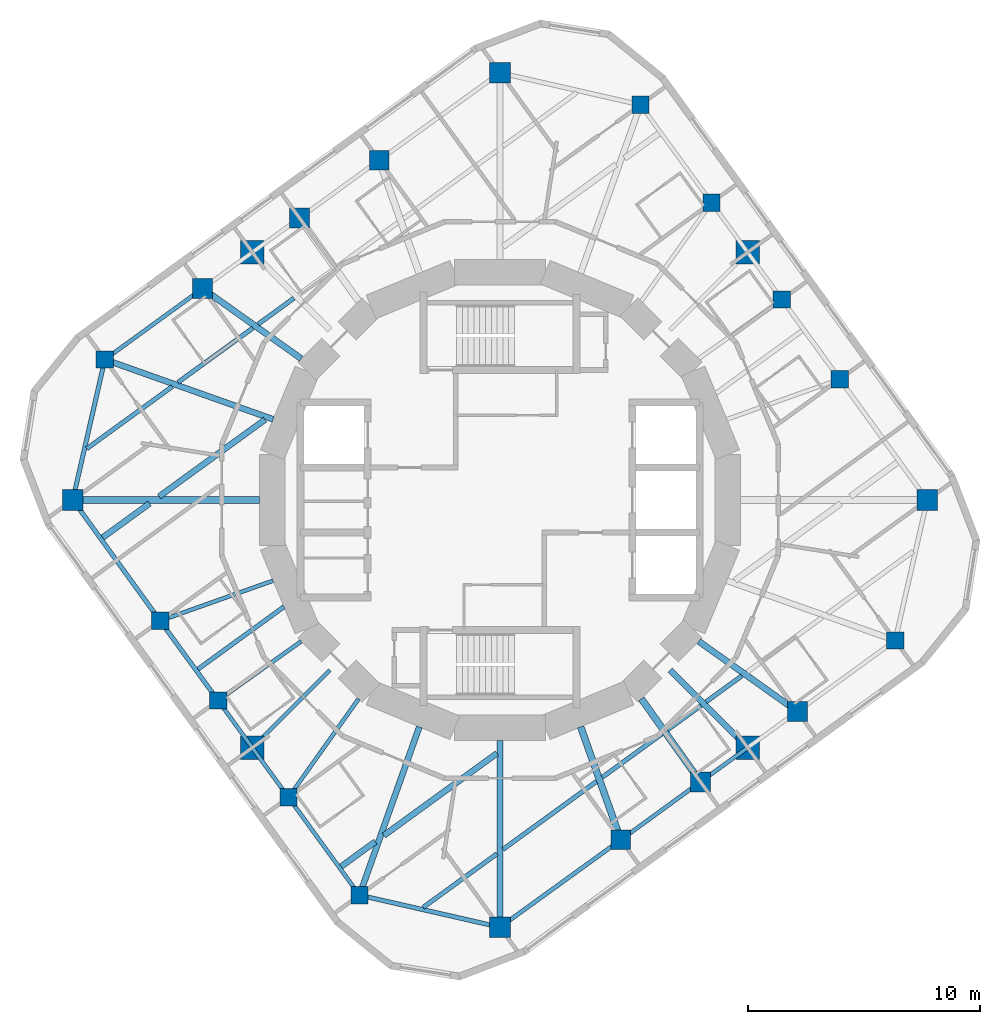
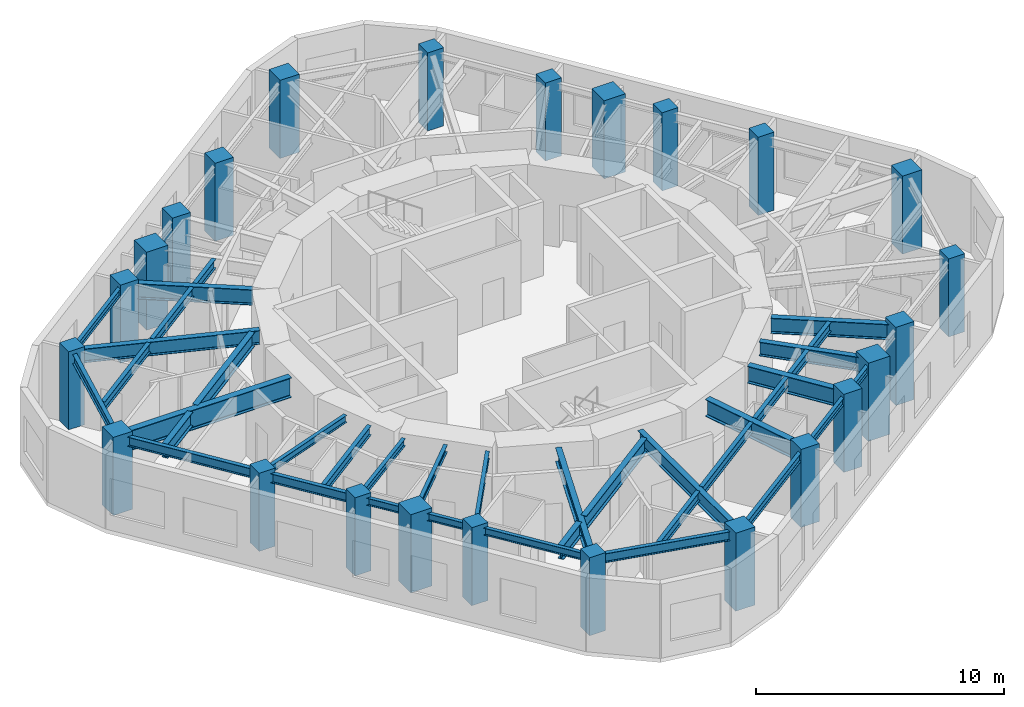
# One storey, part 1 of 9: 37 beams, 24 columns.
"""IFC4 building model written with IfcOpenShell, lengths in metres."""

from ifc_helpers import new_model, si_unit, direction, frame, origin, origin_2d, place, context, subcontext, project, spatial, rectangle, i_section, extrude, material, material_profile, profile_set, type_object, element, save


model = new_model("IFC4")

# Units and contexts
model_context = context("Model", 3, precision=1e-05, world=origin(), true_north=direction((0.0, 1.0)))
body_context = subcontext(model_context, "Body", "Model", "MODEL_VIEW")
ifc_project = project(units=[si_unit("LENGTHUNIT", "METRE"), si_unit("AREAUNIT", "SQUARE_METRE"), si_unit("VOLUMEUNIT", "CUBIC_METRE"), si_unit("PLANEANGLEUNIT", "RADIAN"), si_unit("MASSUNIT", "GRAM", prefix="KILO")], contexts=[model_context])

# Site, building, storey
site_placement = place(None, origin())
site = spatial("IfcSite", under=ifc_project, at=site_placement, CompositionType="ELEMENT")
building_placement = place(site_placement, origin())
building = spatial("IfcBuilding", under=site, at=building_placement, Name="Nakasero Lantern House", CompositionType="ELEMENT")
storey_placement = place(building_placement, frame((0.0, 0.0, 275.300048828125)))
storey = spatial("IfcBuildingStorey", under=building, at=storey_placement, Name="L67", CompositionType="ELEMENT", Elevation=275.300048828125)

# Columns
ifc_material_1 = material(Name="Concrete C40/50", Category="concrete")
ifc_material_profile_1 = material_profile(ifc_material_1, rectangle(XDim=1.0, YDim=1.0, at=origin_2d()), Name="RC 1000x1000")
ifc_profile_set_1 = profile_set([ifc_material_profile_1], Name="Concrete C40/50")
column_type_1 = type_object("IfcColumnType", Name="Mega column RC 1000x1000 C40/50", PredefinedType="COLUMN", material=ifc_profile_set_1)
for number, where, z_axis, x_axis, name in (
    (1, (10.667236328125, 10.667236328125, 0.0), (0.0, 0.0, 1.0), (1.0, 0.0, 0.0), "Column B7-C06 L67"),
    (2, (-10.667236328125, 10.667236328125, 0.0), (0.0, 0.0, 1.0), (1.0, 0.0, 0.0), "Column B7-C12 L67"),
    (3, (-10.667236328125, -10.667236328125, 0.0), (0.0, 0.0, 1.0), (1.0, 0.0, 0.0), "Column B7-C18 L67"),
    (4, (10.667236328125, -10.667236328125, 0.0), (0.0, 0.0, 1.0), (1.0, 0.0, 0.0), "Column B7-C24 L67"),
):
    element("IfcColumn", number, at=place(storey_placement, frame(where, z_axis=z_axis, x_axis=x_axis)), inside=storey, type_object=column_type_1, Name=name, PredefinedType="COLUMN", context=body_context, shape_type="SweptSolid", body=[
        extrude(rectangle(XDim=1.0, YDim=1.0, at=origin_2d()), origin(), (0.0, 0.0, 1.0), 3.849853515625),
    ])
ifc_material_2 = material(Name="Concrete C40/50", Category="concrete")
ifc_material_profile_2 = material_profile(ifc_material_2, rectangle(XDim=0.75, YDim=0.75, at=origin_2d()), Name="RC 750x750")
ifc_profile_set_2 = profile_set([ifc_material_profile_2], Name="Concrete C40/50")
column_type_2 = type_object("IfcColumnType", Name="Ring column RC 750x750 C40/50", PredefinedType="COLUMN", material=ifc_profile_set_2)
for number, where, z_axis, x_axis, name in (
    (5, (17.02001953125, -6.051513671875, 0.0), (0.0, 0.0, 1.0), (1.0, 0.0, 0.0), "Column B7-C02 L67"),
    (6, (14.636474609375, 5.2041015625, 0.0), (0.0, 0.0, 1.0), (1.0, 0.0, 0.0), "Column B7-C04 L67"),
    (7, (12.1435546875, 8.63525390625, 0.0), (0.0, 0.0, 1.0), (1.0, 0.0, 0.0), "Column B7-C05 L67"),
    (8, (9.10986328125, 12.810791015625, 0.0), (0.0, 0.0, 1.0), (1.0, 0.0, 0.0), "Column B7-C07 L67"),
    (9, (6.051513671875, 17.02001953125, 0.0), (0.0, 0.0, 1.0), (1.0, 0.0, 0.0), "Column B7-C08 L67"),
    (10, (-17.02001953125, 6.051513671875, 0.0), (0.0, 0.0, 1.0), (1.0, 0.0, 0.0), "Column B7-C14 L67"),
    (11, (-14.636474609375, -5.2041015625, 0.0), (0.0, 0.0, 1.0), (1.0, 0.0, 0.0), "Column B7-C16 L67"),
    (12, (-12.1435546875, -8.63525390625, 0.0), (0.0, 0.0, 1.0), (1.0, 0.0, 0.0), "Column B7-C17 L67"),
    (13, (-9.10986328125, -12.810791015625, 0.0), (0.0, 0.0, 1.0), (1.0, 0.0, 0.0), "Column B7-C19 L67"),
    (14, (-6.051513671875, -17.02001953125, 0.0), (0.0, 0.0, 1.0), (1.0, 0.0, 0.0), "Column B7-C20 L67"),
):
    element("IfcColumn", number, at=place(storey_placement, frame(where, z_axis=z_axis, x_axis=x_axis)), inside=storey, type_object=column_type_2, Name=name, PredefinedType="COLUMN", context=body_context, shape_type="SweptSolid", body=[
        extrude(rectangle(XDim=0.75, YDim=0.75, at=origin_2d()), origin(), (0.0, 0.0, 1.0), 3.849853515625),
    ])
ifc_material_3 = material(Name="Concrete C40/50", Category="concrete")
ifc_material_profile_3 = material_profile(ifc_material_3, rectangle(XDim=0.85009765625, YDim=0.85009765625, at=origin_2d()), Name="RC 850x850")
ifc_profile_set_3 = profile_set([ifc_material_profile_3], Name="Concrete C40/50")
column_type_3 = type_object("IfcColumnType", Name="Ring column RC 850x850 C40/50", PredefinedType="COLUMN", material=ifc_profile_set_3)
for number, where, z_axis, x_axis, name in (
    (15, (12.810791015625, -9.10986328125, 0.0), (0.0, 0.0, 1.0), (1.0, 0.0, 0.0), "Column B7-C01 L67"),
    (16, (-5.2041015625, 14.636474609375, 0.0), (0.0, 0.0, 1.0), (1.0, 0.0, 0.0), "Column B7-C10 L67"),
    (17, (-8.63525390625, 12.1435546875, 0.0), (0.0, 0.0, 1.0), (1.0, 0.0, 0.0), "Column B7-C11 L67"),
    (18, (-12.810791015625, 9.10986328125, 0.0), (0.0, 0.0, 1.0), (1.0, 0.0, 0.0), "Column B7-C13 L67"),
    (19, (5.2041015625, -14.636474609375, 0.0), (0.0, 0.0, 1.0), (1.0, 0.0, 0.0), "Column B7-C22 L67"),
    (20, (8.63525390625, -12.1435546875, 0.0), (0.0, 0.0, 1.0), (1.0, 0.0, 0.0), "Column B7-C23 L67"),
):
    element("IfcColumn", number, at=place(storey_placement, frame(where, z_axis=z_axis, x_axis=x_axis)), inside=storey, type_object=column_type_3, Name=name, PredefinedType="COLUMN", context=body_context, shape_type="SweptSolid", body=[
        extrude(rectangle(XDim=0.85009765625, YDim=0.85009765625, at=origin_2d()), origin(), (0.0, 0.0, 1.0), 3.849853515625),
    ])
ifc_material_4 = material(Name="Concrete C40/50", Category="concrete")
ifc_material_profile_4 = material_profile(ifc_material_4, rectangle(XDim=0.89990234375, YDim=0.89990234375, at=origin_2d()), Name="RC 900x900")
ifc_profile_set_4 = profile_set([ifc_material_profile_4], Name="Concrete C40/50")
column_type_4 = type_object("IfcColumnType", Name="Ring column RC 900x900 C40/50", PredefinedType="COLUMN", material=ifc_profile_set_4)
for number, where, z_axis, x_axis, name in (
    (21, (18.39990234375, 0.0, 0.0), (0.0, 0.0, 1.0), (1.0, 0.0, 0.0), "Column B7-C03 L67"),
    (22, (0.0, 18.39990234375, 0.0), (0.0, 0.0, 1.0), (1.0, 0.0, 0.0), "Column B7-C09 L67"),
    (23, (-18.39990234375, 0.0, 0.0), (0.0, 0.0, 1.0), (1.0, 0.0, 0.0), "Column B7-C15 L67"),
    (24, (0.0, -18.39990234375, 0.0), (0.0, 0.0, 1.0), (1.0, 0.0, 0.0), "Column B7-C21 L67"),
):
    element("IfcColumn", number, at=place(storey_placement, frame(where, z_axis=z_axis, x_axis=x_axis)), inside=storey, type_object=column_type_4, Name=name, PredefinedType="COLUMN", context=body_context, shape_type="SweptSolid", body=[
        extrude(rectangle(XDim=0.89990234375, YDim=0.89990234375, at=origin_2d()), origin(), (0.0, 0.0, 1.0), 3.849853515625),
    ])

# Beams
ifc_material_5 = material(Name="Steel S355", Category="steel")
ifc_material_profile_5 = material_profile(ifc_material_5, i_section(OverallWidth=0.19140625, OverallDepth=0.4599609375, WebThickness=0.010009765625, FlangeThickness=0.01611328125, FilletRadius=0.01025390625, at=origin_2d()), Name="UB 457x191x82")
ifc_profile_set_5 = profile_set([ifc_material_profile_5], Name="Steel S355")
beam_type_1 = type_object("IfcBeamType", Name="Infill beam UB 457x191x82", PredefinedType="JOIST", material=ifc_profile_set_5)
beam_1_placement = place(storey_placement, frame((-3.311279296875, -17.547607421875, 3.419921875), z_axis=(0.809028442836, 0.587769494515, 0.0), x_axis=(-0.587769494515, 0.809028442836, 0.0)))
element("IfcBeam", 25, at=beam_1_placement, inside=storey, type_object=beam_type_1, Name="Infill beam L68 03.1", PredefinedType="JOIST", context=body_context, shape_type="SweptSolid", body=[
    extrude(i_section(OverallWidth=0.19140625, OverallDepth=0.4599609375, WebThickness=0.010009765625, FlangeThickness=0.01611328125, FilletRadius=0.01025390625, at=origin_2d()), origin(), (0.0, 0.0, 1.0), 3.934814453125),
])
beam_2_placement = place(storey_placement, frame((0.1279296875, -15.048828125, 3.419921875), z_axis=(0.809018056479, 0.587783790428, 0.0), x_axis=(-0.587783790428, 0.809018056479, 0.0)))
element("IfcBeam", 26, at=beam_2_placement, inside=storey, type_object=beam_type_1, Name="Infill beam L68 03.2", PredefinedType="JOIST", context=body_context, shape_type="SweptSolid", body=[
    extrude(i_section(OverallWidth=0.19140625, OverallDepth=0.4599609375, WebThickness=0.010009765625, FlangeThickness=0.01611328125, FilletRadius=0.01025390625, at=origin_2d()), origin(), (0.0, 0.0, 1.0), 4.97802734375),
])
beam_3_placement = place(storey_placement, frame((4.40185546875, -11.943603515625, 3.419921875), z_axis=(0.809014147131, 0.587789171167, 0.0), x_axis=(-0.587789171167, 0.809014147131, 0.0)))
element("IfcBeam", 27, at=beam_3_placement, inside=storey, type_object=beam_type_1, Name="Infill beam L68 03.3", PredefinedType="JOIST", context=body_context, shape_type="SweptSolid", body=[
    extrude(i_section(OverallWidth=0.19140625, OverallDepth=0.4599609375, WebThickness=0.010009765625, FlangeThickness=0.01611328125, FilletRadius=0.01025390625, at=origin_2d()), origin(), (0.0, 0.0, 1.0), 3.188232421875),
])
beam_4_placement = place(storey_placement, frame((7.2177734375, -9.897705078125, 3.419921875), z_axis=(0.809060510352, 0.587725353025, 0.0), x_axis=(-0.587725353025, 0.809060510352, 0.0)))
element("IfcBeam", 28, at=beam_4_placement, inside=storey, type_object=beam_type_1, Name="Infill beam L68 03.4", PredefinedType="JOIST", context=body_context, shape_type="SweptSolid", body=[
    extrude(i_section(OverallWidth=0.19140625, OverallDepth=0.4599609375, WebThickness=0.010009765625, FlangeThickness=0.01611328125, FilletRadius=0.01025390625, at=origin_2d()), origin(), (0.0, 0.0, 1.0), 1.7890625),
])
beam_5_placement = place(storey_placement, frame((8.874755859375, -8.69384765625, 3.419921875), z_axis=(0.809012638294, 0.587791247877, 0.0), x_axis=(-0.587791247877, 0.809012638294, 0.0)))
element("IfcBeam", 29, at=beam_5_placement, inside=storey, type_object=beam_type_1, Name="Infill beam L68 03.5", PredefinedType="JOIST", context=body_context, shape_type="SweptSolid", body=[
    extrude(i_section(OverallWidth=0.19140625, OverallDepth=0.4599609375, WebThickness=0.010009765625, FlangeThickness=0.01611328125, FilletRadius=0.01025390625, at=origin_2d()), origin(), (0.0, 0.0, 1.0), 1.908203125),
])
beam_6_placement = place(storey_placement, frame((-13.006103515625, -7.286376953125, 3.419921875), z_axis=(0.809017640959, 0.587784362344, 0.0), x_axis=(-0.587784362344, 0.809017640959, 0.0)))
element("IfcBeam", 30, at=beam_6_placement, inside=storey, type_object=beam_type_1, Name="Infill beam L68 07.1", PredefinedType="JOIST", context=body_context, shape_type="SweptSolid", body=[
    extrude(i_section(OverallWidth=0.19140625, OverallDepth=0.4599609375, WebThickness=0.010009765625, FlangeThickness=0.01611328125, FilletRadius=0.01025390625, at=origin_2d()), origin(), (0.0, 0.0, 1.0), 4.572998046875),
])
beam_7_placement = place(storey_placement, frame((-17.798583984375, 2.21044921875, 3.419921875), z_axis=(0.80901210161, 0.587791986546, 0.0), x_axis=(-0.587791986546, 0.80901210161, 0.0)))
element("IfcBeam", 31, at=beam_7_placement, inside=storey, type_object=beam_type_1, Name="Infill beam L68 10.1", PredefinedType="JOIST", context=body_context, shape_type="SweptSolid", body=[
    extrude(i_section(OverallWidth=0.19140625, OverallDepth=0.4599609375, WebThickness=0.010009765625, FlangeThickness=0.01611328125, FilletRadius=0.01025390625, at=origin_2d()), origin(), (0.0, 0.0, 1.0), 4.55029296875),
])
beam_8_placement = place(storey_placement, frame((-13.86865234375, 5.065673828125, 3.419921875), z_axis=(0.809006350712, 0.587799901759, 0.0), x_axis=(-0.587799901759, 0.809006350712, 0.0)))
element("IfcBeam", 32, at=beam_8_placement, inside=storey, type_object=beam_type_1, Name="Infill beam L68 10.2", PredefinedType="JOIST", context=body_context, shape_type="SweptSolid", body=[
    extrude(i_section(OverallWidth=0.19140625, OverallDepth=0.4599609375, WebThickness=0.010009765625, FlangeThickness=0.01611328125, FilletRadius=0.01025390625, at=origin_2d()), origin(), (0.0, 0.0, 1.0), 3.983154296875),
])
beam_9_placement = place(storey_placement, frame((-10.41845703125, 7.572265625, 3.419921875), z_axis=(0.809012638294, 0.587791247877, 0.0), x_axis=(-0.587791247877, 0.809012638294, 0.0)))
element("IfcBeam", 33, at=beam_9_placement, inside=storey, type_object=beam_type_1, Name="Infill beam L68 10.3", PredefinedType="JOIST", context=body_context, shape_type="SweptSolid", body=[
    extrude(i_section(OverallWidth=0.19140625, OverallDepth=0.4599609375, WebThickness=0.010009765625, FlangeThickness=0.01611328125, FilletRadius=0.01025390625, at=origin_2d()), origin(), (0.0, 0.0, 1.0), 1.908203125),
])
ifc_material_6 = material(Name="Steel S355", Category="steel")
ifc_material_profile_6 = material_profile(ifc_material_6, i_section(OverallWidth=0.255859375, OverallDepth=0.69287109375, WebThickness=0.014404296875, FlangeThickness=0.023681640625, FilletRadius=0.01513671875, at=origin_2d()), Name="UB 686x254x170")
ifc_profile_set_6 = profile_set([ifc_material_profile_6], Name="Steel S355")
beam_type_2 = type_object("IfcBeamType", Name="Infill beam UB 686x254x170", PredefinedType="JOIST", material=ifc_profile_set_6)
beam_10_placement = place(storey_placement, frame((-6.841796875, -15.786376953125, 3.303466796875), z_axis=(0.809025740158, 0.587773214566, 0.0), x_axis=(-0.587773214566, 0.809025740158, 0.0)))
element("IfcBeam", 34, at=beam_10_placement, inside=storey, type_object=beam_type_2, Name="Infill beam L68 04.1", PredefinedType="JOIST", context=body_context, shape_type="SweptSolid", body=[
    extrude(i_section(OverallWidth=0.255859375, OverallDepth=0.69287109375, WebThickness=0.014404296875, FlangeThickness=0.023681640625, FilletRadius=0.01513671875, at=origin_2d()), origin(), (0.0, 0.0, 1.0), 1.82177734375),
])
beam_11_placement = place(storey_placement, frame((-5.001953125, -14.44970703125, 3.303466796875), z_axis=(0.809011117524, 0.587793340998, 0.0), x_axis=(-0.587793340998, 0.809011117524, 0.0)))
element("IfcBeam", 35, at=beam_11_placement, inside=storey, type_object=beam_type_2, Name="Infill beam L68 04.2", PredefinedType="JOIST", context=body_context, shape_type="SweptSolid", body=[
    extrude(i_section(OverallWidth=0.255859375, OverallDepth=0.69287109375, WebThickness=0.014404296875, FlangeThickness=0.023681640625, FilletRadius=0.01513671875, at=origin_2d()), origin(), (0.0, 0.0, 1.0), 6.024658203125),
])
beam_12_placement = place(storey_placement, frame((-17.1123046875, -1.6171875, 3.303466796875), z_axis=(0.809015124384, 0.587787826106, 0.0), x_axis=(-0.587787826106, 0.809015124384, 0.0)))
element("IfcBeam", 36, at=beam_12_placement, inside=storey, type_object=beam_type_2, Name="Infill beam L68 09.1", PredefinedType="JOIST", context=body_context, shape_type="SweptSolid", body=[
    extrude(i_section(OverallWidth=0.255859375, OverallDepth=0.69287109375, WebThickness=0.014404296875, FlangeThickness=0.023681640625, FilletRadius=0.01513671875, at=origin_2d()), origin(), (0.0, 0.0, 1.0), 2.496337890625),
])
beam_13_placement = place(storey_placement, frame((-14.679931640625, 0.14990234375, 3.303466796875), z_axis=(0.809013172462, 0.587790512669, 0.0), x_axis=(-0.587790512669, 0.809013172462, 0.0)))
element("IfcBeam", 37, at=beam_13_placement, inside=storey, type_object=beam_type_2, Name="Infill beam L68 09.2", PredefinedType="JOIST", context=body_context, shape_type="SweptSolid", body=[
    extrude(i_section(OverallWidth=0.255859375, OverallDepth=0.69287109375, WebThickness=0.014404296875, FlangeThickness=0.023681640625, FilletRadius=0.01513671875, at=origin_2d()), origin(), (0.0, 0.0, 1.0), 5.63720703125),
])
ifc_material_7 = material(Name="Steel S355", Category="steel")
ifc_material_profile_7 = material_profile(ifc_material_7, i_section(OverallWidth=0.300048828125, OverallDepth=0.97998046875, WebThickness=0.0166015625, FlangeThickness=0.02587890625, FilletRadius=0.030029296875, at=origin_2d()), Name="UB 1016x305x249")
ifc_profile_set_7 = profile_set([ifc_material_profile_7], Name="Steel S355")
beam_type_3 = type_object("IfcBeamType", Name="Primary beam UB 1016x305x249, span 6 to 9 m", PredefinedType="BEAM", material=ifc_profile_set_7)
beam_14_placement = place(storey_placement, frame((-18.39990234375, 0.0, 3.159912109375), z_axis=(1.0, 0.0, 0.0), x_axis=(0.0, 1.0, 0.0)))
element("IfcBeam", 38, at=beam_14_placement, inside=storey, type_object=beam_type_3, Name="Primary beam L68 B7-C15", PredefinedType="BEAM", context=body_context, shape_type="SweptSolid", body=[
    extrude(i_section(OverallWidth=0.300048828125, OverallDepth=0.97998046875, WebThickness=0.0166015625, FlangeThickness=0.02587890625, FilletRadius=0.030029296875, at=origin_2d()), origin(), (0.0, 0.0, 1.0), 8.0419921875),
])
ifc_material_8 = material(Name="Steel S355", Category="steel")
ifc_material_profile_8 = material_profile(ifc_material_8, i_section(OverallWidth=0.17138671875, OverallDepth=0.35498046875, WebThickness=0.00732421875, FlangeThickness=0.011474609375, FilletRadius=0.01025390625, at=origin_2d()), Name="UB 356x171x51")
ifc_profile_set_8 = profile_set([ifc_material_profile_8], Name="Steel S355")
beam_type_4 = type_object("IfcBeamType", Name="Primary beam UB 356x171x51, span to 6 m", PredefinedType="BEAM", material=ifc_profile_set_8)
beam_15_placement = place(storey_placement, frame((-14.636474609375, -5.2041015625, 3.472412109375), z_axis=(0.942221324153, 0.3349910093, 0.0), x_axis=(-0.3349910093, 0.942221324153, 0.0)))
element("IfcBeam", 39, at=beam_15_placement, inside=storey, type_object=beam_type_4, Name="Primary beam L68 B7-C16", PredefinedType="BEAM", context=body_context, shape_type="SweptSolid", body=[
    extrude(i_section(OverallWidth=0.17138671875, OverallDepth=0.35498046875, WebThickness=0.00732421875, FlangeThickness=0.011474609375, FilletRadius=0.01025390625, at=origin_2d()), origin(), (0.0, 0.0, 1.0), 5.162841796875),
])
beam_16_placement = place(storey_placement, frame((-12.1435546875, -8.63525390625, 3.472412109375), z_axis=(0.814988544116, 0.579477068537, 0.0), x_axis=(-0.579477068537, 0.814988544116, 0.0)))
element("IfcBeam", 40, at=beam_16_placement, inside=storey, type_object=beam_type_4, Name="Primary beam L68 B7-C17", PredefinedType="BEAM", context=body_context, shape_type="SweptSolid", body=[
    extrude(i_section(OverallWidth=0.17138671875, OverallDepth=0.35498046875, WebThickness=0.00732421875, FlangeThickness=0.011474609375, FilletRadius=0.01025390625, at=origin_2d()), origin(), (0.0, 0.0, 1.0), 4.396484375),
])
beam_17_placement = place(storey_placement, frame((-10.667236328125, -10.667236328125, 3.472412109375), z_axis=(0.707106781187, 0.707106781187, 0.0), x_axis=(-0.707106781187, 0.707106781187, 0.0)))
element("IfcBeam", 41, at=beam_17_placement, inside=storey, type_object=beam_type_4, Name="Primary beam L68 B7-C18", PredefinedType="BEAM", context=body_context, shape_type="SweptSolid", body=[
    extrude(i_section(OverallWidth=0.17138671875, OverallDepth=0.35498046875, WebThickness=0.00732421875, FlangeThickness=0.011474609375, FilletRadius=0.01025390625, at=origin_2d()), origin(), (0.0, 0.0, 1.0), 4.727783203125),
])
beam_18_placement = place(storey_placement, frame((-9.10986328125, -12.810791015625, 3.472412109375), z_axis=(0.579500985986, 0.814971537688, 0.0), x_axis=(-0.814971537688, 0.579500985986, 0.0)))
element("IfcBeam", 42, at=beam_18_placement, inside=storey, type_object=beam_type_4, Name="Primary beam L68 B7-C19", PredefinedType="BEAM", context=body_context, shape_type="SweptSolid", body=[
    extrude(i_section(OverallWidth=0.17138671875, OverallDepth=0.35498046875, WebThickness=0.00732421875, FlangeThickness=0.011474609375, FilletRadius=0.01025390625, at=origin_2d()), origin(), (0.0, 0.0, 1.0), 5.215087890625),
])
ifc_material_9 = material(Name="Steel S355", Category="steel")
ifc_material_profile_9 = material_profile(ifc_material_9, i_section(OverallWidth=0.253662109375, OverallDepth=0.68359375, WebThickness=0.012451171875, FlangeThickness=0.01904296875, FilletRadius=0.01513671875, at=origin_2d()), Name="UB 686x254x140")
ifc_profile_set_9 = profile_set([ifc_material_profile_9], Name="Steel S355")
beam_type_5 = type_object("IfcBeamType", Name="Primary beam UB 686x254x140, span 6 to 9 m", PredefinedType="BEAM", material=ifc_profile_set_9)
beam_19_placement = place(storey_placement, frame((-17.02001953125, 6.051513671875, 3.30810546875), z_axis=(0.942222036561, -0.334989005521, 0.0), x_axis=(0.334989005521, 0.942222036561, 0.0)))
element("IfcBeam", 43, at=beam_19_placement, inside=storey, type_object=beam_type_5, Name="Primary beam L68 B7-C14", PredefinedType="BEAM", context=body_context, shape_type="SweptSolid", body=[
    extrude(i_section(OverallWidth=0.253662109375, OverallDepth=0.68359375, WebThickness=0.012451171875, FlangeThickness=0.01904296875, FilletRadius=0.01513671875, at=origin_2d()), origin(), (0.0, 0.0, 1.0), 7.6923828125),
])
ifc_material_10 = material(Name="Steel S355", Category="steel")
ifc_material_profile_10 = material_profile(ifc_material_10, i_section(OverallWidth=0.255859375, OverallDepth=0.69287109375, WebThickness=0.014404296875, FlangeThickness=0.023681640625, FilletRadius=0.01513671875, at=origin_2d()), Name="UB 686x254x170")
ifc_profile_set_10 = profile_set([ifc_material_profile_10], Name="Steel S355")
beam_type_6 = type_object("IfcBeamType", Name="Primary beam UB 686x254x170, span 6 to 9 m", PredefinedType="BEAM", material=ifc_profile_set_10)
beam_20_placement = place(storey_placement, frame((-6.051513671875, -17.02001953125, 3.303466796875), z_axis=(0.334989005521, 0.942222036561, 0.0), x_axis=(-0.942222036561, 0.334989005521, 0.0)))
element("IfcBeam", 44, at=beam_20_placement, inside=storey, type_object=beam_type_6, Name="Primary beam L68 B7-C20", PredefinedType="BEAM", context=body_context, shape_type="SweptSolid", body=[
    extrude(i_section(OverallWidth=0.255859375, OverallDepth=0.69287109375, WebThickness=0.014404296875, FlangeThickness=0.023681640625, FilletRadius=0.01513671875, at=origin_2d()), origin(), (0.0, 0.0, 1.0), 7.6923828125),
])
beam_21_placement = place(storey_placement, frame((0.0, -18.39990234375, 3.303466796875), z_axis=(0.0, 1.0, 0.0), x_axis=(-1.0, 0.0, 0.0)))
element("IfcBeam", 45, at=beam_21_placement, inside=storey, type_object=beam_type_6, Name="Primary beam L68 B7-C21", PredefinedType="BEAM", context=body_context, shape_type="SweptSolid", body=[
    extrude(i_section(OverallWidth=0.255859375, OverallDepth=0.69287109375, WebThickness=0.014404296875, FlangeThickness=0.023681640625, FilletRadius=0.01513671875, at=origin_2d()), origin(), (0.0, 0.0, 1.0), 8.0419921875),
])
ifc_material_11 = material(Name="Steel S355", Category="steel")
ifc_material_profile_11 = material_profile(ifc_material_11, i_section(OverallWidth=0.255859375, OverallDepth=0.69287109375, WebThickness=0.014404296875, FlangeThickness=0.023681640625, FilletRadius=0.01513671875, at=origin_2d()), Name="UB 686x254x170")
ifc_profile_set_11 = profile_set([ifc_material_profile_11], Name="Steel S355")
beam_type_7 = type_object("IfcBeamType", Name="Primary beam UB 686x254x170, span to 6 m", PredefinedType="BEAM", material=ifc_profile_set_11)
beam_22_placement = place(storey_placement, frame((10.667236328125, -10.667236328125, 3.303466796875), z_axis=(-0.707106781187, 0.707106781187, 0.0), x_axis=(-0.707106781187, -0.707106781187, 0.0)))
element("IfcBeam", 46, at=beam_22_placement, inside=storey, type_object=beam_type_7, Name="Primary beam L68 B7-C24", PredefinedType="BEAM", context=body_context, shape_type="SweptSolid", body=[
    extrude(i_section(OverallWidth=0.255859375, OverallDepth=0.69287109375, WebThickness=0.014404296875, FlangeThickness=0.023681640625, FilletRadius=0.01513671875, at=origin_2d()), origin(), (0.0, 0.0, 1.0), 4.727783203125),
])
ifc_material_12 = material(Name="Steel S355", Category="steel")
ifc_material_profile_12 = material_profile(ifc_material_12, i_section(OverallWidth=0.2666015625, OverallDepth=0.76220703125, WebThickness=0.014404296875, FlangeThickness=0.021484375, FilletRadius=0.0166015625, at=origin_2d()), Name="UB 762x267x173")
ifc_profile_set_12 = profile_set([ifc_material_profile_12], Name="Steel S355")
beam_type_8 = type_object("IfcBeamType", Name="Primary beam UB 762x267x173, span to 6 m", PredefinedType="BEAM", material=ifc_profile_set_12)
for number, where, z_axis, x_axis, name in (
    (47, (12.810791015625, -9.10986328125, 3.268798828125), (-0.814971537688, 0.579500985986, 0.0), (-0.579500985986, -0.814971537688, 0.0), "Primary beam L68 B7-C01"),
    (48, (-12.810791015625, 9.10986328125, 3.268798828125), (0.814971537688, -0.579500985986, 0.0), (0.579500985986, 0.814971537688, 0.0), "Primary beam L68 B7-C13"),
):
    element("IfcBeam", number, at=place(storey_placement, frame(where, z_axis=z_axis, x_axis=x_axis)), inside=storey, type_object=beam_type_8, Name=name, PredefinedType="BEAM", context=body_context, shape_type="SweptSolid", body=[
        extrude(i_section(OverallWidth=0.2666015625, OverallDepth=0.76220703125, WebThickness=0.014404296875, FlangeThickness=0.021484375, FilletRadius=0.0166015625, at=origin_2d()), origin(), (0.0, 0.0, 1.0), 5.215087890625),
    ])
ifc_material_13 = material(Name="Steel S355", Category="steel")
ifc_material_profile_13 = material_profile(ifc_material_13, i_section(OverallWidth=0.29248046875, OverallDepth=0.8408203125, WebThickness=0.0146484375, FlangeThickness=0.02685546875, FilletRadius=0.017822265625, at=origin_2d()), Name="UB 838x292x194")
ifc_profile_set_13 = profile_set([ifc_material_profile_13], Name="Steel S355")
beam_type_9 = type_object("IfcBeamType", Name="Primary beam UB 838x292x194, span to 6 m", PredefinedType="BEAM", material=ifc_profile_set_13)
beam_23_placement = place(storey_placement, frame((5.2041015625, -14.636474609375, 3.2294921875), z_axis=(-0.3349910093, 0.942221324153, 0.0), x_axis=(-0.942221324153, -0.3349910093, 0.0)))
element("IfcBeam", 49, at=beam_23_placement, inside=storey, type_object=beam_type_9, Name="Primary beam L68 B7-C22", PredefinedType="BEAM", context=body_context, shape_type="SweptSolid", body=[
    extrude(i_section(OverallWidth=0.29248046875, OverallDepth=0.8408203125, WebThickness=0.0146484375, FlangeThickness=0.02685546875, FilletRadius=0.017822265625, at=origin_2d()), origin(), (0.0, 0.0, 1.0), 5.162841796875),
])
beam_24_placement = place(storey_placement, frame((8.63525390625, -12.1435546875, 3.2294921875), z_axis=(-0.579477068537, 0.814988544116, 0.0), x_axis=(-0.814988544116, -0.579477068537, 0.0)))
element("IfcBeam", 50, at=beam_24_placement, inside=storey, type_object=beam_type_9, Name="Primary beam L68 B7-C23", PredefinedType="BEAM", context=body_context, shape_type="SweptSolid", body=[
    extrude(i_section(OverallWidth=0.29248046875, OverallDepth=0.8408203125, WebThickness=0.0146484375, FlangeThickness=0.02685546875, FilletRadius=0.017822265625, at=origin_2d()), origin(), (0.0, 0.0, 1.0), 4.396484375),
])
ifc_material_14 = material(Name="Steel S355", Category="steel")
ifc_material_profile_14 = material_profile(ifc_material_14, i_section(OverallWidth=0.17138671875, OverallDepth=0.35498046875, WebThickness=0.00732421875, FlangeThickness=0.011474609375, FilletRadius=0.01025390625, at=origin_2d()), Name="UB 356x171x51")
ifc_profile_set_14 = profile_set([ifc_material_profile_14], Name="Steel S355")
beam_type_10 = type_object("IfcBeamType", Name="Ring beam UB 356x171x51", PredefinedType="BEAM", material=ifc_profile_set_14)
beam_25_placement = place(storey_placement, frame((-12.810791015625, 9.10986328125, 3.472412109375), z_axis=(-0.809001814948, -0.587806144414, 0.0), x_axis=(0.587806144414, -0.809001814948, 0.0)))
element("IfcBeam", 51, at=beam_25_placement, inside=storey, type_object=beam_type_10, Name="Ring beam L68 B7-C13", PredefinedType="BEAM", context=body_context, shape_type="SweptSolid", body=[
    extrude(i_section(OverallWidth=0.17138671875, OverallDepth=0.35498046875, WebThickness=0.00732421875, FlangeThickness=0.011474609375, FilletRadius=0.01025390625, at=origin_2d()), origin(), (0.0, 0.0, 1.0), 5.202880859375),
])
beam_26_placement = place(storey_placement, frame((-12.1435546875, -8.63525390625, 3.472412109375), z_axis=(0.58778439593, -0.809017616558, 0.0), x_axis=(0.809017616558, 0.58778439593, 0.0)))
element("IfcBeam", 52, at=beam_26_placement, inside=storey, type_object=beam_type_10, Name="Ring beam L68 B7-C17", PredefinedType="BEAM", context=body_context, shape_type="SweptSolid", body=[
    extrude(i_section(OverallWidth=0.17138671875, OverallDepth=0.35498046875, WebThickness=0.00732421875, FlangeThickness=0.011474609375, FilletRadius=0.01025390625, at=origin_2d()), origin(), (0.0, 0.0, 1.0), 2.51171875),
])
beam_27_placement = place(storey_placement, frame((-10.667236328125, -10.667236328125, 3.472412109375), z_axis=(0.587782635143, -0.809018895839, 0.0), x_axis=(0.809018895839, 0.587782635143, 0.0)))
element("IfcBeam", 53, at=beam_27_placement, inside=storey, type_object=beam_type_10, Name="Ring beam L68 B7-C18", PredefinedType="BEAM", context=body_context, shape_type="SweptSolid", body=[
    extrude(i_section(OverallWidth=0.17138671875, OverallDepth=0.35498046875, WebThickness=0.00732421875, FlangeThickness=0.011474609375, FilletRadius=0.01025390625, at=origin_2d()), origin(), (0.0, 0.0, 1.0), 2.649658203125),
])
beam_28_placement = place(storey_placement, frame((-9.10986328125, -12.810791015625, 3.472412109375), z_axis=(0.587806144414, -0.809001814948, 0.0), x_axis=(0.809001814948, 0.587806144414, 0.0)))
element("IfcBeam", 54, at=beam_28_placement, inside=storey, type_object=beam_type_10, Name="Ring beam L68 B7-C19", PredefinedType="BEAM", context=body_context, shape_type="SweptSolid", body=[
    extrude(i_section(OverallWidth=0.17138671875, OverallDepth=0.35498046875, WebThickness=0.00732421875, FlangeThickness=0.011474609375, FilletRadius=0.01025390625, at=origin_2d()), origin(), (0.0, 0.0, 1.0), 5.202880859375),
])
beam_29_placement = place(storey_placement, frame((5.2041015625, -14.636474609375, 3.472412109375), z_axis=(0.809012304944, 0.587791706687, 0.0), x_axis=(-0.587791706687, 0.809012304944, 0.0)))
element("IfcBeam", 55, at=beam_29_placement, inside=storey, type_object=beam_type_10, Name="Ring beam L68 B7-C22", PredefinedType="BEAM", context=body_context, shape_type="SweptSolid", body=[
    extrude(i_section(OverallWidth=0.17138671875, OverallDepth=0.35498046875, WebThickness=0.00732421875, FlangeThickness=0.011474609375, FilletRadius=0.01025390625, at=origin_2d()), origin(), (0.0, 0.0, 1.0), 4.2412109375),
])
beam_30_placement = place(storey_placement, frame((8.63525390625, -12.1435546875, 3.472412109375), z_axis=(0.809017616558, 0.58778439593, 0.0), x_axis=(-0.58778439593, 0.809017616558, 0.0)))
element("IfcBeam", 56, at=beam_30_placement, inside=storey, type_object=beam_type_10, Name="Ring beam L68 B7-C23", PredefinedType="BEAM", context=body_context, shape_type="SweptSolid", body=[
    extrude(i_section(OverallWidth=0.17138671875, OverallDepth=0.35498046875, WebThickness=0.00732421875, FlangeThickness=0.011474609375, FilletRadius=0.01025390625, at=origin_2d()), origin(), (0.0, 0.0, 1.0), 2.51171875),
])
ifc_material_15 = material(Name="Steel S355", Category="steel")
ifc_material_profile_15 = material_profile(ifc_material_15, i_section(OverallWidth=0.177978515625, OverallDepth=0.406494140625, WebThickness=0.0078125, FlangeThickness=0.0126953125, FilletRadius=0.01025390625, at=origin_2d()), Name="UB 406x178x60")
ifc_profile_set_15 = profile_set([ifc_material_profile_15], Name="Steel S355")
beam_type_11 = type_object("IfcBeamType", Name="Ring beam UB 406x178x60", PredefinedType="BEAM", material=ifc_profile_set_15)
beam_31_placement = place(storey_placement, frame((0.0, -18.39990234375, 3.44677734375), z_axis=(0.810316200404, 0.58599287996, 0.0), x_axis=(-0.58599287996, 0.810316200404, 0.0)))
element("IfcBeam", 57, at=beam_31_placement, inside=storey, type_object=beam_type_11, Name="Ring beam L68 B7-C21", PredefinedType="BEAM", context=body_context, shape_type="SweptSolid", body=[
    extrude(i_section(OverallWidth=0.177978515625, OverallDepth=0.406494140625, WebThickness=0.0078125, FlangeThickness=0.0126953125, FilletRadius=0.01025390625, at=origin_2d()), origin(), (0.0, 0.0, 1.0), 6.42236328125),
])
ifc_material_16 = material(Name="Steel S355", Category="steel")
ifc_material_profile_16 = material_profile(ifc_material_16, i_section(OverallWidth=0.18994140625, OverallDepth=0.453369140625, WebThickness=0.008544921875, FlangeThickness=0.0126953125, FilletRadius=0.01025390625, at=origin_2d()), Name="UB 457x191x67")
ifc_profile_set_16 = profile_set([ifc_material_profile_16], Name="Steel S355")
beam_type_12 = type_object("IfcBeamType", Name="Ring beam UB 457x191x67", PredefinedType="BEAM", material=ifc_profile_set_16)
beam_32_placement = place(storey_placement, frame((-17.02001953125, 6.051513671875, 3.42333984375), z_axis=(-0.222316387753, -0.974974575944, 0.0), x_axis=(0.974974575944, -0.222316387753, 0.0)))
element("IfcBeam", 58, at=beam_32_placement, inside=storey, type_object=beam_type_12, Name="Ring beam L68 B7-C14", PredefinedType="BEAM", context=body_context, shape_type="SweptSolid", body=[
    extrude(i_section(OverallWidth=0.18994140625, OverallDepth=0.453369140625, WebThickness=0.008544921875, FlangeThickness=0.0126953125, FilletRadius=0.01025390625, at=origin_2d()), origin(), (0.0, 0.0, 1.0), 6.206787109375),
])
beam_33_placement = place(storey_placement, frame((-14.636474609375, -5.2041015625, 3.42333984375), z_axis=(0.587791706687, -0.809012304944, 0.0), x_axis=(0.809012304944, 0.587791706687, 0.0)))
element("IfcBeam", 59, at=beam_33_placement, inside=storey, type_object=beam_type_12, Name="Ring beam L68 B7-C16", PredefinedType="BEAM", context=body_context, shape_type="SweptSolid", body=[
    extrude(i_section(OverallWidth=0.18994140625, OverallDepth=0.453369140625, WebThickness=0.008544921875, FlangeThickness=0.0126953125, FilletRadius=0.01025390625, at=origin_2d()), origin(), (0.0, 0.0, 1.0), 4.2412109375),
])
beam_34_placement = place(storey_placement, frame((-6.051513671875, -17.02001953125, 3.42333984375), z_axis=(0.974974575944, -0.222316387753, 0.0), x_axis=(0.222316387753, 0.974974575944, 0.0)))
element("IfcBeam", 60, at=beam_34_placement, inside=storey, type_object=beam_type_12, Name="Ring beam L68 B7-C20", PredefinedType="BEAM", context=body_context, shape_type="SweptSolid", body=[
    extrude(i_section(OverallWidth=0.18994140625, OverallDepth=0.453369140625, WebThickness=0.008544921875, FlangeThickness=0.0126953125, FilletRadius=0.01025390625, at=origin_2d()), origin(), (0.0, 0.0, 1.0), 6.206787109375),
])
ifc_material_17 = material(Name="Steel S355", Category="steel")
ifc_material_profile_17 = material_profile(ifc_material_17, i_section(OverallWidth=0.19140625, OverallDepth=0.4599609375, WebThickness=0.010009765625, FlangeThickness=0.01611328125, FilletRadius=0.01025390625, at=origin_2d()), Name="UB 457x191x82")
ifc_profile_set_17 = profile_set([ifc_material_profile_17], Name="Steel S355")
beam_type_13 = type_object("IfcBeamType", Name="Ring beam UB 457x191x82", PredefinedType="BEAM", material=ifc_profile_set_17)
beam_35_placement = place(storey_placement, frame((-18.39990234375, 0.0, 3.419921875), z_axis=(0.58599287996, -0.810316200404, 0.0), x_axis=(0.810316200404, 0.58599287996, 0.0)))
element("IfcBeam", 61, at=beam_35_placement, inside=storey, type_object=beam_type_13, Name="Ring beam L68 B7-C15", PredefinedType="BEAM", context=body_context, shape_type="SweptSolid", body=[
    extrude(i_section(OverallWidth=0.19140625, OverallDepth=0.4599609375, WebThickness=0.010009765625, FlangeThickness=0.01611328125, FilletRadius=0.01025390625, at=origin_2d()), origin(), (0.0, 0.0, 1.0), 6.42236328125),
])

save(model, "model.ifc")
